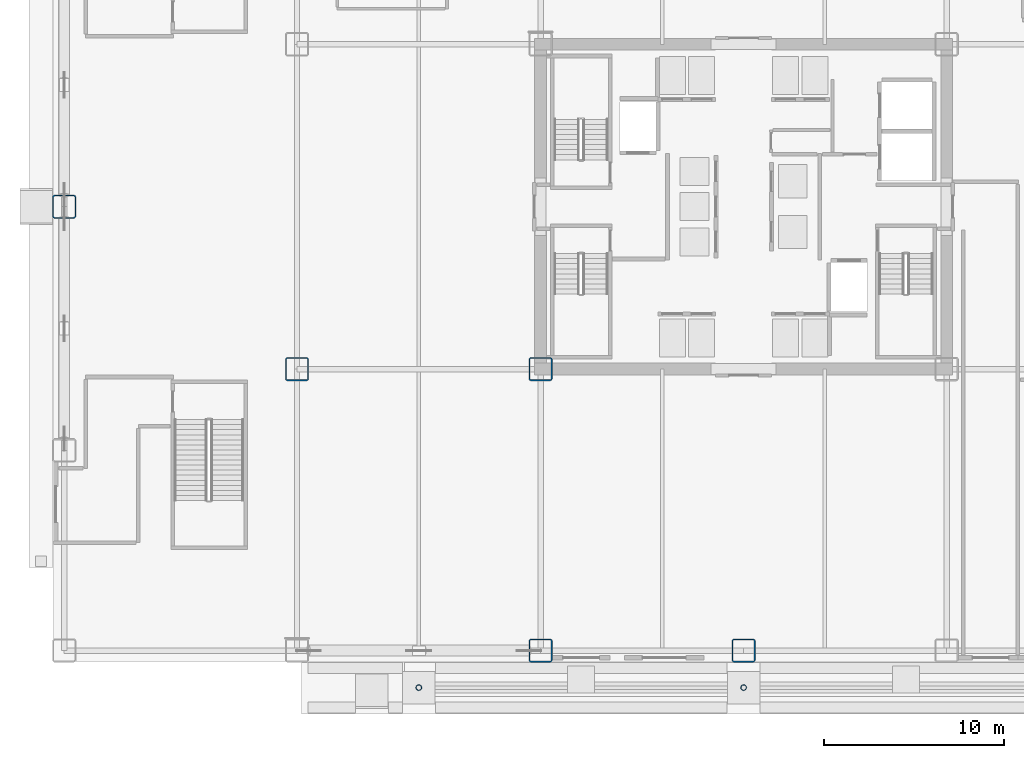
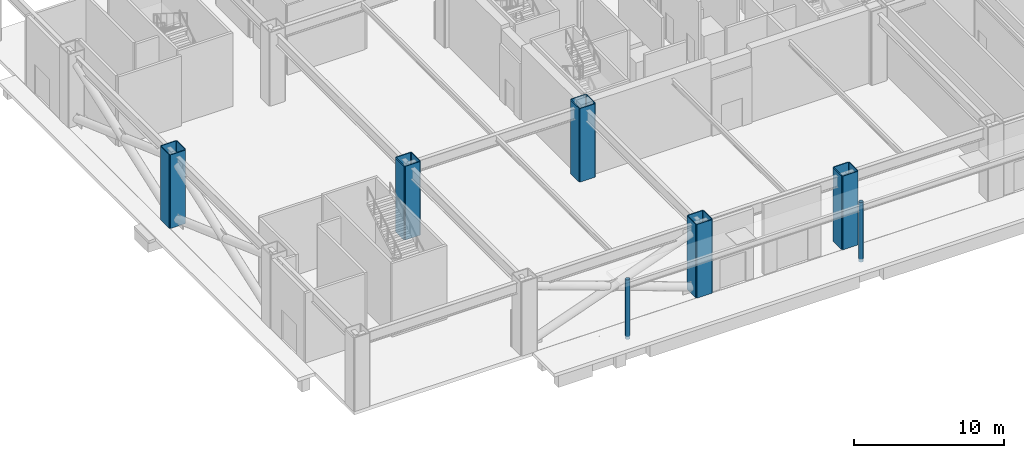
# One storey, part 2 of 17: 7 columns.
"""IFC4 building model written with IfcOpenShell, lengths in metres."""

from ifc_helpers import new_model, si_unit, direction, frame, origin, origin_2d, place, context, subcontext, project, spatial, hollow_rectangle, hollow_circle, extrude, source, transform, mapped, material, material_profile, profile_set, type_object, element, save


model = new_model("IFC4")

# Units and contexts
model_context = context("Model", 3, precision=1e-05, world=origin(), true_north=direction((0.0, 1.0)))
body_context = subcontext(model_context, "Body", "Model", "MODEL_VIEW")
ifc_project = project(units=[si_unit("LENGTHUNIT", "METRE"), si_unit("AREAUNIT", "SQUARE_METRE"), si_unit("VOLUMEUNIT", "CUBIC_METRE"), si_unit("PLANEANGLEUNIT", "RADIAN"), si_unit("MASSUNIT", "GRAM", prefix="KILO")], contexts=[model_context])

# Site, building, storey
site_placement = place(None, origin())
site = spatial("IfcSite", under=ifc_project, at=site_placement, CompositionType="ELEMENT")
building_placement = place(site_placement, origin())
building = spatial("IfcBuilding", under=site, at=building_placement, Name="Nefas-Gora Pilgrimage Tower", CompositionType="ELEMENT")
storey_placement = place(building_placement, origin())
storey = spatial("IfcBuildingStorey", under=building, at=storey_placement, Name="L00", CompositionType="ELEMENT", Elevation=0.0)

# Columns
ifc_material_1 = material(Name="Steel S355", Category="steel")
ifc_material_profile_1 = material_profile(ifc_material_1, hollow_circle(Radius=0.161865234375, WallThickness=0.02001953125, at=origin_2d()), Name="CHS 323.9x20")
ifc_profile_set_1 = profile_set([ifc_material_profile_1], Name="Steel S355")
column_type_1 = type_object("IfcColumnType", Name="COL-CAN-324", PredefinedType="COLUMN", material=ifc_profile_set_1)
shared_shape_1 = source(origin(), body_context, "Body", "SweptSolid", [
    extrude(hollow_circle(Radius=0.161865234375, WallThickness=0.02001953125, at=origin_2d()), origin(), (0.0, 0.0, 1.0), 4.85009765625),
])
for number, where, z_axis, x_axis, name in (
    (1, (-18.0, -26.64990234375, -0.25), (0.0, 0.0, 1.0), (1.0, 0.0, 0.0), "Arrival Canopy Column CC-01.4"),
    (2, (0.0, -26.64990234375, -0.25), (0.0, 0.0, 1.0), (1.0, 0.0, 0.0), "Arrival Canopy Column CC-01.5"),
):
    element("IfcColumn", number, at=place(storey_placement, frame(where, z_axis=z_axis, x_axis=x_axis)), inside=storey, type_object=column_type_1, Name=name, PredefinedType="COLUMN", context=body_context, shape_type="MappedRepresentation", body=[
        mapped(shared_shape_1, transform((0.0, 0.0, 0.0), x_axis=(1.0, 0.0, 0.0), y_axis=(0.0, 1.0, 0.0), z_axis=(0.0, 0.0, 1.0), scale=1.0)),
    ])
ifc_material_2 = material(Name="Steel S460", Category="steel")
ifc_material_profile_2 = material_profile(ifc_material_2, hollow_rectangle(XDim=1.300048828125, YDim=1.300048828125, WallThickness=0.06494140625, InnerFilletRadius=0.06494140625, OuterFilletRadius=0.1298828125, at=origin_2d()), Name="BOX 1300x1300x65")
ifc_profile_set_2 = profile_set([ifc_material_profile_2], Name="Steel S460")
column_type_2 = type_object("IfcColumnType", Name="COL-MEGA-1300E", PredefinedType="COLUMN", material=ifc_profile_set_2)
shared_shape_2 = source(origin(), body_context, "Body", "SweptSolid", [
    extrude(hollow_rectangle(XDim=1.300048828125, YDim=1.300048828125, WallThickness=0.06494140625, InnerFilletRadius=0.06494140625, OuterFilletRadius=0.1298828125, at=origin_2d()), origin(), (0.0, 0.0, 1.0), 6.0),
])
for number, where, z_axis, x_axis, name in (
    (3, (-37.64990234375, 0.0, 0.0), (0.0, 0.0, 1.0), (1.0, 0.0, 0.0), "L00 Mega-Column MC-01E.3"),
    (4, (-24.75, -9.0, 0.0), (0.0, 0.0, 1.0), (1.0, 0.0, 0.0), "L00 Mega-Column MC-01E.7"),
    (5, (-11.25, -24.60009765625, 0.0), (0.0, 0.0, 1.0), (1.0, 0.0, 0.0), "L00 Mega-Column MC-01E.10"),
    (6, (-11.25, -9.0, 0.0), (0.0, 0.0, 1.0), (1.0, 0.0, 0.0), "L00 Mega-Column MC-01E.11"),
    (7, (0.0, -24.60009765625, 0.0), (0.0, 0.0, 1.0), (1.0, 0.0, 0.0), "L00 Mega-Column MC-01E.14"),
):
    element("IfcColumn", number, at=place(storey_placement, frame(where, z_axis=z_axis, x_axis=x_axis)), inside=storey, type_object=column_type_2, Name=name, PredefinedType="COLUMN", context=body_context, shape_type="MappedRepresentation", body=[
        mapped(shared_shape_2, transform((0.0, 0.0, 0.0), x_axis=(1.0, 0.0, 0.0), y_axis=(0.0, 1.0, 0.0), z_axis=(0.0, 0.0, 1.0), scale=1.0)),
    ])

save(model, "model.ifc")
